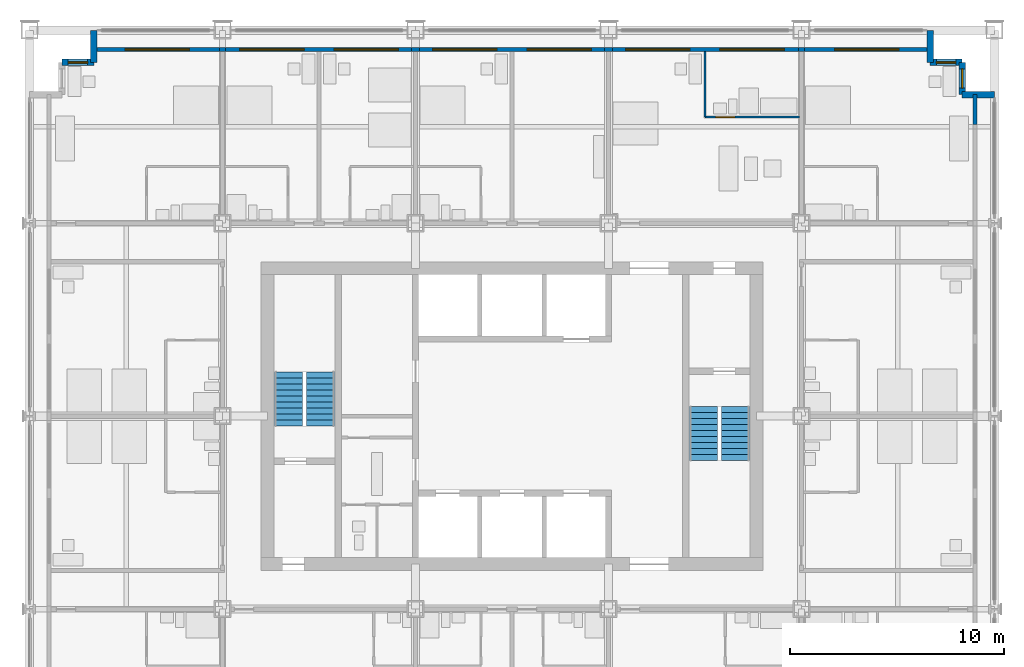
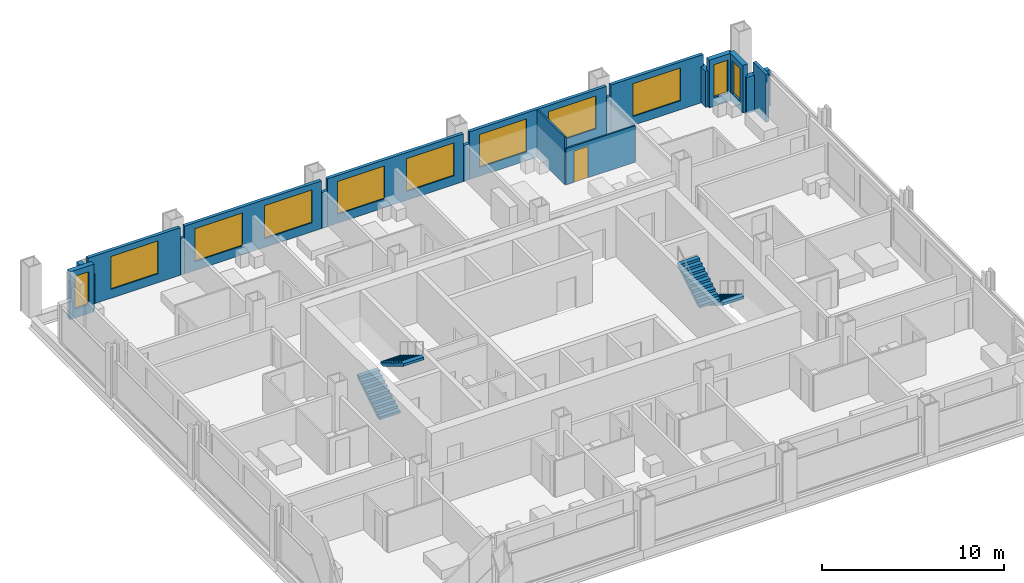
# One storey, part 13 of 16: 18 walls, 11 windows, 4 stair flights, 1 door, 12 openings, 2 elements without a shape of their own.
"""IFC4 building model written with IfcOpenShell, lengths in metres."""

from ifc_helpers import new_model, si_unit, direction, frame, frame_2d, origin, place, context, subcontext, project, spatial, polyline, rectangle, outline, extrude, material, layer, layer_set, type_object, element, fill, aggregate, save


model = new_model("IFC4")

# Units and contexts
model_context = context("Model", 3, precision=1e-05, world=origin(), true_north=direction((0.0, 1.0)))
body_context = subcontext(model_context, "Body", "Model", "MODEL_VIEW")
ifc_project = project(units=[si_unit("LENGTHUNIT", "METRE"), si_unit("AREAUNIT", "SQUARE_METRE"), si_unit("VOLUMEUNIT", "CUBIC_METRE"), si_unit("PLANEANGLEUNIT", "RADIAN"), si_unit("MASSUNIT", "GRAM", prefix="KILO")], contexts=[model_context])

# Site, building, storey
site_placement = place(None, origin())
site = spatial("IfcSite", under=ifc_project, at=site_placement, CompositionType="ELEMENT")
building_placement = place(site_placement, origin())
building = spatial("IfcBuilding", under=site, at=building_placement, Name="Loomwork Tower", CompositionType="ELEMENT")
storey_placement = place(building_placement, frame((0.0, 0.0, 128.199951171875)))
storey = spatial("IfcBuildingStorey", under=building, at=storey_placement, Name="L34", CompositionType="ELEMENT", Elevation=128.199951171875)

# Wall, opening, door
ifc_material_1 = material(Name="Cement board on steel studs", Category="steel")
ifc_layer_1 = layer(ifc_material_1, 0.10009765625)
ifc_layer_set_1 = layer_set([ifc_layer_1], Name="En-suite partition 100")
wall_type_1 = type_object("IfcWallType", Name="En-suite partition 100", PredefinedType="PARTITIONING", material=ifc_layer_set_1)
wall_1_placement = place(storey_placement, frame((31.5, 31.949951171875, 0.0), z_axis=(0.0, 0.0, 1.0), x_axis=(1.0, 0.0, 0.0)))
wall_1 = element("IfcWall", 1, at=wall_1_placement, inside=storey, type_object=wall_type_1, Name="Spa bathroom wall L34 room 12", PredefinedType="PARTITIONING", context=body_context, shape_type="SweptSolid", body=[
    extrude(rectangle(XDim=4.39990234375, YDim=0.10009765625, at=frame_2d((2.199951171875, 0.0))), origin(), (0.0, 0.0, 1.0), 2.43798828125),
])
opening_1_placement = place(wall_1_placement, frame((0.5, 0.0, 0.0)))
opening_1 = element("IfcOpeningElement", 2, at=opening_1_placement, cuts=wall_1, Name="Opening D2", PredefinedType="OPENING", context=body_context, shape_type="SweptSolid", body=[
    extrude(rectangle(XDim=0.89990234375, YDim=2.10009765625, at=frame_2d((0.449951171875, 1.050048828125))), frame((0.0, 0.06005859375, 0.0), z_axis=(0.0, -1.0, 0.0), x_axis=(1.0, 0.0, 0.0)), (0.0, 0.0, 1.0), 0.1201171875),
])
ifc_material_2 = material(Name="Hollow metal door and frame")
door_type = type_object("IfcDoorType", Name="En-suite door 900", OperationType="SINGLE_SWING_LEFT", PredefinedType="DOOR", material=ifc_material_2)
door_placement = place(opening_1_placement, origin())
door = element("IfcDoor", 3, at=door_placement, inside=storey, type_object=door_type, Name="Spa bathroom door room 12", OperationType="SINGLE_SWING_LEFT", OverallHeight=2.10009765625, OverallWidth=0.89990234375, PredefinedType="DOOR", context=body_context, shape_type="SweptSolid", body=[
    extrude(rectangle(XDim=0.89990234375, YDim=2.10009765625, at=frame_2d((0.449951171875, 1.050048828125))), frame((0.0, 0.02490234375, 0.0), z_axis=(0.0, -1.0, 0.0), x_axis=(1.0, 0.0, 0.0)), (0.0, 0.0, 1.0), 0.050048828125),
])
fill(opening_1, door)

# Wall
wall_2_placement = place(storey_placement, frame((31.5, 31.949951171875, 0.0), z_axis=(0.0, 0.0, 1.0), x_axis=(0.0, 1.0, 0.0)))
element("IfcWall", 4, at=wall_2_placement, inside=storey, type_object=wall_type_1, Name="Spa bathroom side wall L34 room 12", PredefinedType="PARTITIONING", context=body_context, shape_type="SweptSolid", body=[
    extrude(rectangle(XDim=3.050048828125, YDim=0.10009765625, at=frame_2d((1.52490234375, 0.0))), origin(), (0.0, 0.0, 1.0), 3.199951171875),
])

# Wall, opening, window
ifc_material_3 = material(Name="Insulated steel stud wall with gypsum lining", Category="steel")
ifc_layer_2 = layer(ifc_material_3, 0.199951171875)
ifc_layer_set_2 = layer_set([ifc_layer_2], Name="Inner skin wall 200")
wall_type_2 = type_object("IfcWallType", Name="Inner skin wall 200", PredefinedType="SOLIDWALL", material=ifc_layer_set_2)
wall_3_placement = place(storey_placement, frame((3.0, 35.10009765625, 0.0), z_axis=(0.0, 0.0, 1.0), x_axis=(1.0, 0.0, 0.0)))
wall_3 = element("IfcWall", 5, at=wall_3_placement, inside=storey, type_object=wall_type_2, Name="Inner skin wall N", PredefinedType="SOLIDWALL", context=body_context, shape_type="SweptSolid", body=[
    extrude(rectangle(XDim=5.86474609375, YDim=0.199951171875, at=frame_2d((2.932373046875, 0.0))), origin(), (0.0, 0.0, 1.0), 3.199951171875),
])
opening_2_placement = place(wall_3_placement, frame((1.449951171875, 0.0, 0.60009765625)))
opening_2 = element("IfcOpeningElement", 6, at=opening_2_placement, cuts=wall_3, Name="Opening CH1", PredefinedType="OPENING", context=body_context, shape_type="SweptSolid", body=[
    extrude(rectangle(XDim=3.0, YDim=2.199951171875, at=frame_2d((1.5, 1.10009765625))), frame((0.0, 0.10986328125, 0.0), z_axis=(0.0, -1.0, 0.0), x_axis=(1.0, 0.0, 0.0)), (0.0, 0.0, 1.0), 0.219970703125),
])
ifc_material_4 = material(Name="Aluminium frame with clear insulated glass", Category="aluminium")
window_type_1 = type_object("IfcWindowType", Name="Chicago window 3000", PartitioningType="TRIPLE_PANEL_VERTICAL", PredefinedType="WINDOW", material=ifc_material_4)
window_1_placement = place(opening_2_placement, origin())
window_1 = element("IfcWindow", 7, at=window_1_placement, inside=storey, type_object=window_type_1, Name="Chicago window L34 bay 6", OverallHeight=2.199951171875, OverallWidth=3.0, PartitioningType="TRIPLE_PANEL_VERTICAL", PredefinedType="WINDOW", context=body_context, shape_type="SweptSolid", body=[
    extrude(rectangle(XDim=3.0, YDim=2.199951171875, at=frame_2d((1.5, 1.10009765625))), frame((0.0, 0.030029296875, 0.0), z_axis=(0.0, -1.0, 0.0), x_axis=(1.0, 0.0, 0.0)), (0.0, 0.0, 1.0), 0.06005859375),
])
fill(opening_2, window_1)

# Wall
wall_4_placement = place(storey_placement, frame((8.86474609375, 35.10009765625, 0.0), z_axis=(0.0, 0.0, 1.0), x_axis=(1.0, 0.0, 0.0)))
element("IfcWall", 8, at=wall_4_placement, inside=storey, type_object=wall_type_2, Name="Inner skin wall N bay 2", PredefinedType="SOLIDWALL", context=body_context, shape_type="SweptSolid", body=[
    extrude(rectangle(XDim=0.2705078125, YDim=0.199951171875, at=frame_2d((0.13525390625, 0.0))), origin(), (0.0, 0.0, 1.0), 2.43798828125),
])

# Wall, openings, windows
wall_5_placement = place(storey_placement, frame((9.13525390625, 35.10009765625, 0.0), z_axis=(0.0, 0.0, 1.0), x_axis=(1.0, 0.0, 0.0)))
wall_5 = element("IfcWall", 9, at=wall_5_placement, inside=storey, type_object=wall_type_2, Name="Inner skin wall N bay 3", PredefinedType="SOLIDWALL", context=body_context, shape_type="SweptSolid", body=[
    extrude(rectangle(XDim=8.6708984375, YDim=0.199951171875, at=frame_2d((4.33544921875, 0.0))), origin(), (0.0, 0.0, 1.0), 3.199951171875),
])
opening_3_placement = place(wall_5_placement, frame((0.664794921875, 0.0, 0.60009765625)))
opening_3 = element("IfcOpeningElement", 10, at=opening_3_placement, cuts=wall_5, Name="Opening CH1", PredefinedType="OPENING", context=body_context, shape_type="SweptSolid", body=[
    extrude(rectangle(XDim=3.0, YDim=2.199951171875, at=frame_2d((1.5, 1.10009765625))), frame((0.0, 0.10986328125, 0.0), z_axis=(0.0, -1.0, 0.0), x_axis=(1.0, 0.0, 0.0)), (0.0, 0.0, 1.0), 0.219970703125),
])
opening_4_placement = place(wall_5_placement, frame((5.064697265625, 0.0, 0.60009765625)))
opening_4 = element("IfcOpeningElement", 11, at=opening_4_placement, cuts=wall_5, Name="Opening CH1", PredefinedType="OPENING", context=body_context, shape_type="SweptSolid", body=[
    extrude(rectangle(XDim=3.0, YDim=2.199951171875, at=frame_2d((1.5, 1.10009765625))), frame((0.0, 0.10986328125, 0.0), z_axis=(0.0, -1.0, 0.0), x_axis=(1.0, 0.0, 0.0)), (0.0, 0.0, 1.0), 0.219970703125),
])
window_2_placement = place(opening_3_placement, origin())
window_2 = element("IfcWindow", 12, at=window_2_placement, inside=storey, type_object=window_type_1, Name="Chicago window L34 bay 7", OverallHeight=2.199951171875, OverallWidth=3.0, PartitioningType="TRIPLE_PANEL_VERTICAL", PredefinedType="WINDOW", context=body_context, shape_type="SweptSolid", body=[
    extrude(rectangle(XDim=3.0, YDim=2.199951171875, at=frame_2d((1.5, 1.10009765625))), frame((0.0, 0.030029296875, 0.0), z_axis=(0.0, -1.0, 0.0), x_axis=(1.0, 0.0, 0.0)), (0.0, 0.0, 1.0), 0.06005859375),
])
fill(opening_3, window_2)
window_3_placement = place(opening_4_placement, origin())
window_3 = element("IfcWindow", 13, at=window_3_placement, inside=storey, type_object=window_type_1, Name="Chicago window L34 bay 7", OverallHeight=2.199951171875, OverallWidth=3.0, PartitioningType="TRIPLE_PANEL_VERTICAL", PredefinedType="WINDOW", context=body_context, shape_type="SweptSolid", body=[
    extrude(rectangle(XDim=3.0, YDim=2.199951171875, at=frame_2d((1.5, 1.10009765625))), frame((0.0, 0.030029296875, 0.0), z_axis=(0.0, -1.0, 0.0), x_axis=(1.0, 0.0, 0.0)), (0.0, 0.0, 1.0), 0.06005859375),
])
fill(opening_4, window_3)

# Wall
wall_6_placement = place(storey_placement, frame((17.80615234375, 35.10009765625, 0.0), z_axis=(0.0, 0.0, 1.0), x_axis=(1.0, 0.0, 0.0)))
element("IfcWall", 14, at=wall_6_placement, inside=storey, type_object=wall_type_2, Name="Inner skin wall N bay 4", PredefinedType="SOLIDWALL", context=body_context, shape_type="SweptSolid", body=[
    extrude(rectangle(XDim=0.3876953125, YDim=0.199951171875, at=frame_2d((0.19384765625, 0.0))), origin(), (0.0, 0.0, 1.0), 2.404052734375),
])

# Wall, openings, windows
wall_7_placement = place(storey_placement, frame((18.19384765625, 35.10009765625, 0.0), z_axis=(0.0, 0.0, 1.0), x_axis=(1.0, 0.0, 0.0)))
wall_7 = element("IfcWall", 15, at=wall_7_placement, inside=storey, type_object=wall_type_2, Name="Inner skin wall N bay 5", PredefinedType="SOLIDWALL", context=body_context, shape_type="SweptSolid", body=[
    extrude(rectangle(XDim=8.6123046875, YDim=0.199951171875, at=frame_2d((4.30615234375, 0.0))), origin(), (0.0, 0.0, 1.0), 3.199951171875),
])
opening_5_placement = place(wall_7_placement, frame((0.606201171875, 0.0, 0.60009765625)))
opening_5 = element("IfcOpeningElement", 16, at=opening_5_placement, cuts=wall_7, Name="Opening CH1", PredefinedType="OPENING", context=body_context, shape_type="SweptSolid", body=[
    extrude(rectangle(XDim=3.0, YDim=2.199951171875, at=frame_2d((1.5, 1.10009765625))), frame((0.0, 0.10986328125, 0.0), z_axis=(0.0, -1.0, 0.0), x_axis=(1.0, 0.0, 0.0)), (0.0, 0.0, 1.0), 0.219970703125),
])
opening_6_placement = place(wall_7_placement, frame((5.006103515625, 0.0, 0.60009765625)))
opening_6 = element("IfcOpeningElement", 17, at=opening_6_placement, cuts=wall_7, Name="Opening CH1", PredefinedType="OPENING", context=body_context, shape_type="SweptSolid", body=[
    extrude(rectangle(XDim=3.0, YDim=2.199951171875, at=frame_2d((1.5, 1.10009765625))), frame((0.0, 0.10986328125, 0.0), z_axis=(0.0, -1.0, 0.0), x_axis=(1.0, 0.0, 0.0)), (0.0, 0.0, 1.0), 0.219970703125),
])
window_4_placement = place(opening_5_placement, origin())
window_4 = element("IfcWindow", 18, at=window_4_placement, inside=storey, type_object=window_type_1, Name="Chicago window L34 bay 8", OverallHeight=2.199951171875, OverallWidth=3.0, PartitioningType="TRIPLE_PANEL_VERTICAL", PredefinedType="WINDOW", context=body_context, shape_type="SweptSolid", body=[
    extrude(rectangle(XDim=3.0, YDim=2.199951171875, at=frame_2d((1.5, 1.10009765625))), frame((0.0, 0.030029296875, 0.0), z_axis=(0.0, -1.0, 0.0), x_axis=(1.0, 0.0, 0.0)), (0.0, 0.0, 1.0), 0.06005859375),
])
fill(opening_5, window_4)
window_5_placement = place(opening_6_placement, origin())
window_5 = element("IfcWindow", 19, at=window_5_placement, inside=storey, type_object=window_type_1, Name="Chicago window L34 bay 8", OverallHeight=2.199951171875, OverallWidth=3.0, PartitioningType="TRIPLE_PANEL_VERTICAL", PredefinedType="WINDOW", context=body_context, shape_type="SweptSolid", body=[
    extrude(rectangle(XDim=3.0, YDim=2.199951171875, at=frame_2d((1.5, 1.10009765625))), frame((0.0, 0.030029296875, 0.0), z_axis=(0.0, -1.0, 0.0), x_axis=(1.0, 0.0, 0.0)), (0.0, 0.0, 1.0), 0.06005859375),
])
fill(opening_6, window_5)

# Wall
wall_8_placement = place(storey_placement, frame((26.80615234375, 35.10009765625, 0.0), z_axis=(0.0, 0.0, 1.0), x_axis=(1.0, 0.0, 0.0)))
element("IfcWall", 20, at=wall_8_placement, inside=storey, type_object=wall_type_2, Name="Inner skin wall N bay 6", PredefinedType="SOLIDWALL", context=body_context, shape_type="SweptSolid", body=[
    extrude(rectangle(XDim=0.3876953125, YDim=0.199951171875, at=frame_2d((0.19384765625, 0.0))), origin(), (0.0, 0.0, 1.0), 2.404052734375),
])

# Wall, openings, windows
wall_9_placement = place(storey_placement, frame((27.19384765625, 35.10009765625, 0.0), z_axis=(0.0, 0.0, 1.0), x_axis=(1.0, 0.0, 0.0)))
wall_9 = element("IfcWall", 21, at=wall_9_placement, inside=storey, type_object=wall_type_2, Name="Inner skin wall N bay 7", PredefinedType="SOLIDWALL", context=body_context, shape_type="SweptSolid", body=[
    extrude(rectangle(XDim=8.670654296875, YDim=0.199951171875, at=frame_2d((4.33544921875, 0.0))), origin(), (0.0, 0.0, 1.0), 3.199951171875),
])
opening_7_placement = place(wall_9_placement, frame((0.606201171875, 0.0, 0.60009765625)))
opening_7 = element("IfcOpeningElement", 22, at=opening_7_placement, cuts=wall_9, Name="Opening CH1", PredefinedType="OPENING", context=body_context, shape_type="SweptSolid", body=[
    extrude(rectangle(XDim=3.0, YDim=2.199951171875, at=frame_2d((1.5, 1.10009765625))), frame((0.0, 0.10986328125, 0.0), z_axis=(0.0, -1.0, 0.0), x_axis=(1.0, 0.0, 0.0)), (0.0, 0.0, 1.0), 0.219970703125),
])
opening_8_placement = place(wall_9_placement, frame((5.006103515625, 0.0, 0.60009765625)))
opening_8 = element("IfcOpeningElement", 23, at=opening_8_placement, cuts=wall_9, Name="Opening CH1", PredefinedType="OPENING", context=body_context, shape_type="SweptSolid", body=[
    extrude(rectangle(XDim=3.0, YDim=2.199951171875, at=frame_2d((1.5, 1.10009765625))), frame((0.0, 0.10986328125, 0.0), z_axis=(0.0, -1.0, 0.0), x_axis=(1.0, 0.0, 0.0)), (0.0, 0.0, 1.0), 0.219970703125),
])
window_6_placement = place(opening_7_placement, origin())
window_6 = element("IfcWindow", 24, at=window_6_placement, inside=storey, type_object=window_type_1, Name="Chicago window L34 bay 9", OverallHeight=2.199951171875, OverallWidth=3.0, PartitioningType="TRIPLE_PANEL_VERTICAL", PredefinedType="WINDOW", context=body_context, shape_type="SweptSolid", body=[
    extrude(rectangle(XDim=3.0, YDim=2.199951171875, at=frame_2d((1.5, 1.10009765625))), frame((0.0, 0.030029296875, 0.0), z_axis=(0.0, -1.0, 0.0), x_axis=(1.0, 0.0, 0.0)), (0.0, 0.0, 1.0), 0.06005859375),
])
fill(opening_7, window_6)
window_7_placement = place(opening_8_placement, origin())
window_7 = element("IfcWindow", 25, at=window_7_placement, inside=storey, type_object=window_type_1, Name="Chicago window L34 bay 9", OverallHeight=2.199951171875, OverallWidth=3.0, PartitioningType="TRIPLE_PANEL_VERTICAL", PredefinedType="WINDOW", context=body_context, shape_type="SweptSolid", body=[
    extrude(rectangle(XDim=3.0, YDim=2.199951171875, at=frame_2d((1.5, 1.10009765625))), frame((0.0, 0.030029296875, 0.0), z_axis=(0.0, -1.0, 0.0), x_axis=(1.0, 0.0, 0.0)), (0.0, 0.0, 1.0), 0.06005859375),
])
fill(opening_8, window_7)

# Wall
wall_10_placement = place(storey_placement, frame((35.864501953125, 35.10009765625, 0.0), z_axis=(0.0, 0.0, 1.0), x_axis=(1.0, 0.0, 0.0)))
element("IfcWall", 26, at=wall_10_placement, inside=storey, type_object=wall_type_2, Name="Inner skin wall N bay 8", PredefinedType="SOLIDWALL", context=body_context, shape_type="SweptSolid", body=[
    extrude(rectangle(XDim=0.27099609375, YDim=0.199951171875, at=frame_2d((0.135498046875, 0.0))), origin(), (0.0, 0.0, 1.0), 2.43798828125),
])

# Wall, opening, window
wall_11_placement = place(storey_placement, frame((36.135498046875, 35.10009765625, 0.0), z_axis=(0.0, 0.0, 1.0), x_axis=(1.0, 0.0, 0.0)))
wall_11 = element("IfcWall", 27, at=wall_11_placement, inside=storey, type_object=wall_type_2, Name="Inner skin wall N bay 9", PredefinedType="SOLIDWALL", context=body_context, shape_type="SweptSolid", body=[
    extrude(rectangle(XDim=5.864501953125, YDim=0.199951171875, at=frame_2d((2.93212890625, 0.0))), origin(), (0.0, 0.0, 1.0), 3.199951171875),
])
opening_9_placement = place(wall_11_placement, frame((1.41455078125, 0.0, 0.60009765625)))
opening_9 = element("IfcOpeningElement", 28, at=opening_9_placement, cuts=wall_11, Name="Opening CH1", PredefinedType="OPENING", context=body_context, shape_type="SweptSolid", body=[
    extrude(rectangle(XDim=3.0, YDim=2.199951171875, at=frame_2d((1.5, 1.10009765625))), frame((0.0, 0.10986328125, 0.0), z_axis=(0.0, -1.0, 0.0), x_axis=(1.0, 0.0, 0.0)), (0.0, 0.0, 1.0), 0.219970703125),
])
window_8_placement = place(opening_9_placement, origin())
window_8 = element("IfcWindow", 29, at=window_8_placement, inside=storey, type_object=window_type_1, Name="Chicago window L34 bay 10", OverallHeight=2.199951171875, OverallWidth=3.0, PartitioningType="TRIPLE_PANEL_VERTICAL", PredefinedType="WINDOW", context=body_context, shape_type="SweptSolid", body=[
    extrude(rectangle(XDim=3.0, YDim=2.199951171875, at=frame_2d((1.5, 1.10009765625))), frame((0.0, 0.030029296875, 0.0), z_axis=(0.0, -1.0, 0.0), x_axis=(1.0, 0.0, 0.0)), (0.0, 0.0, 1.0), 0.06005859375),
])
fill(opening_9, window_8)

# Walls
wall_12_placement = place(storey_placement, frame((44.10009765625, 31.607421875, 0.0), z_axis=(0.0, 0.0, 1.0), x_axis=(0.0, 1.0, 0.0)))
element("IfcWall", 30, at=wall_12_placement, inside=storey, type_object=wall_type_2, Name="Inner skin wall E bay 11", PredefinedType="SOLIDWALL", context=body_context, shape_type="SweptSolid", body=[
    extrude(rectangle(XDim=1.392578125, YDim=0.199951171875, at=frame_2d((0.6962890625, 0.0))), origin(), (0.0, 0.0, 1.0), 3.199951171875),
])
ifc_material_5 = material(Name="Limestone on concrete masonry", Category="masonry")
ifc_layer_3 = layer(ifc_material_5, 0.300048828125)
ifc_layer_set_3 = layer_set([ifc_layer_3], Name="Limestone corner wall 300")
wall_type_3 = type_object("IfcWallType", Name="Limestone corner wall 300", PredefinedType="SOLIDWALL", material=ifc_layer_set_3)
wall_13_placement = place(storey_placement, frame((45.0, 33.0, 0.0), z_axis=(0.0, 0.0, 1.0), x_axis=(-1.0, 0.0, 0.0)))
element("IfcWall", 31, at=wall_13_placement, inside=storey, type_object=wall_type_3, Name="Stone corner wall NE 1", PredefinedType="SOLIDWALL", context=body_context, shape_type="SweptSolid", body=[
    extrude(rectangle(XDim=1.5, YDim=0.300048828125, at=frame_2d((0.75, 0.0))), origin(), (0.0, 0.0, 1.0), 2.420166015625),
])

# Wall, opening, window
wall_14_placement = place(storey_placement, frame((43.5, 33.0, 0.0), z_axis=(0.0, 0.0, 1.0), x_axis=(0.0, 1.0, 0.0)))
wall_14 = element("IfcWall", 32, at=wall_14_placement, inside=storey, type_object=wall_type_3, Name="Stone corner wall NE 2", PredefinedType="SOLIDWALL", context=body_context, shape_type="SweptSolid", body=[
    extrude(rectangle(XDim=1.5, YDim=0.300048828125, at=frame_2d((0.75, 0.0))), origin(), (0.0, 0.0, 1.0), 3.199951171875),
])
opening_10_placement = place(wall_14_placement, frame((0.300048828125, 0.0, 0.60009765625)))
opening_10 = element("IfcOpeningElement", 33, at=opening_10_placement, cuts=wall_14, Name="Opening CH2", PredefinedType="OPENING", context=body_context, shape_type="SweptSolid", body=[
    extrude(rectangle(XDim=0.89990234375, YDim=2.199951171875, at=frame_2d((0.449951171875, 1.10009765625))), frame((0.0, 0.159912109375, 0.0), z_axis=(0.0, -1.0, 0.0), x_axis=(1.0, 0.0, 0.0)), (0.0, 0.0, 1.0), 0.320068359375),
])
ifc_material_6 = material(Name="Aluminium frame with clear insulated glass", Category="aluminium")
window_type_2 = type_object("IfcWindowType", Name="Corner window 900", PartitioningType="SINGLE_PANEL", PredefinedType="WINDOW", material=ifc_material_6)
window_9_placement = place(opening_10_placement, origin())
window_9 = element("IfcWindow", 34, at=window_9_placement, inside=storey, type_object=window_type_2, Name="Corner window NE", OverallHeight=2.199951171875, OverallWidth=0.89990234375, PartitioningType="SINGLE_PANEL", PredefinedType="WINDOW", context=body_context, shape_type="SweptSolid", body=[
    extrude(rectangle(XDim=0.89990234375, YDim=2.199951171875, at=frame_2d((0.449951171875, 1.10009765625))), frame((0.0, 0.030029296875, 0.0), z_axis=(0.0, -1.0, 0.0), x_axis=(1.0, 0.0, 0.0)), (0.0, 0.0, 1.0), 0.06005859375),
])
fill(opening_10, window_9)

wall_15_placement = place(storey_placement, frame((43.5, 34.5, 0.0), z_axis=(0.0, 0.0, 1.0), x_axis=(-1.0, 0.0, 0.0)))
wall_15 = element("IfcWall", 35, at=wall_15_placement, inside=storey, type_object=wall_type_3, Name="Stone corner wall NE 3", PredefinedType="SOLIDWALL", context=body_context, shape_type="SweptSolid", body=[
    extrude(rectangle(XDim=1.5, YDim=0.300048828125, at=frame_2d((0.75, 0.0))), origin(), (0.0, 0.0, 1.0), 3.199951171875),
])
opening_11_placement = place(wall_15_placement, frame((0.300048828125, 0.0, 0.60009765625)))
opening_11 = element("IfcOpeningElement", 36, at=opening_11_placement, cuts=wall_15, Name="Opening CH2", PredefinedType="OPENING", context=body_context, shape_type="SweptSolid", body=[
    extrude(rectangle(XDim=0.89990234375, YDim=2.199951171875, at=frame_2d((0.449951171875, 1.10009765625))), frame((0.0, 0.159912109375, 0.0), z_axis=(0.0, -1.0, 0.0), x_axis=(1.0, 0.0, 0.0)), (0.0, 0.0, 1.0), 0.320068359375),
])
window_10_placement = place(opening_11_placement, origin())
window_10 = element("IfcWindow", 37, at=window_10_placement, inside=storey, type_object=window_type_2, Name="Corner window NE", OverallHeight=2.199951171875, OverallWidth=0.89990234375, PartitioningType="SINGLE_PANEL", PredefinedType="WINDOW", context=body_context, shape_type="SweptSolid", body=[
    extrude(rectangle(XDim=0.89990234375, YDim=2.199951171875, at=frame_2d((0.449951171875, 1.10009765625))), frame((0.0, 0.030029296875, 0.0), z_axis=(0.0, -1.0, 0.0), x_axis=(1.0, 0.0, 0.0)), (0.0, 0.0, 1.0), 0.06005859375),
])
fill(opening_11, window_10)

# Walls
for number, where, z_axis, x_axis, name in (
    (38, (42.0, 34.5, 0.0), (0.0, 0.0, 1.0), (0.0, 1.0, 0.0), "Stone corner wall NE 4"),
    (39, (3.0, 36.0, 0.0), (0.0, 0.0, 1.0), (0.0, -1.0, 0.0), "Stone corner wall NW 1"),
):
    element("IfcWall", number, at=place(storey_placement, frame(where, z_axis=z_axis, x_axis=x_axis)), inside=storey, type_object=wall_type_3, Name=name, PredefinedType="SOLIDWALL", context=body_context, shape_type="SweptSolid", body=[
        extrude(rectangle(XDim=1.5, YDim=0.300048828125, at=frame_2d((0.75, 0.0))), origin(), (0.0, 0.0, 1.0), 2.420166015625),
    ])

# Wall, opening, window
wall_16_placement = place(storey_placement, frame((3.0, 34.5, 0.0), z_axis=(0.0, 0.0, 1.0), x_axis=(-1.0, 0.0, 0.0)))
wall_16 = element("IfcWall", 40, at=wall_16_placement, inside=storey, type_object=wall_type_3, Name="Stone corner wall NW 2", PredefinedType="SOLIDWALL", context=body_context, shape_type="SweptSolid", body=[
    extrude(rectangle(XDim=1.5, YDim=0.300048828125, at=frame_2d((0.75, 0.0))), origin(), (0.0, 0.0, 1.0), 3.199951171875),
])
opening_12_placement = place(wall_16_placement, frame((0.300048828125, 0.0, 0.60009765625)))
opening_12 = element("IfcOpeningElement", 41, at=opening_12_placement, cuts=wall_16, Name="Opening CH2", PredefinedType="OPENING", context=body_context, shape_type="SweptSolid", body=[
    extrude(rectangle(XDim=0.89990234375, YDim=2.199951171875, at=frame_2d((0.449951171875, 1.10009765625))), frame((0.0, 0.159912109375, 0.0), z_axis=(0.0, -1.0, 0.0), x_axis=(1.0, 0.0, 0.0)), (0.0, 0.0, 1.0), 0.320068359375),
])
window_11_placement = place(opening_12_placement, origin())
window_11 = element("IfcWindow", 42, at=window_11_placement, inside=storey, type_object=window_type_2, Name="Corner window NW", OverallHeight=2.199951171875, OverallWidth=0.89990234375, PartitioningType="SINGLE_PANEL", PredefinedType="WINDOW", context=body_context, shape_type="SweptSolid", body=[
    extrude(rectangle(XDim=0.89990234375, YDim=2.199951171875, at=frame_2d((0.449951171875, 1.10009765625))), frame((0.0, 0.030029296875, 0.0), z_axis=(0.0, -1.0, 0.0), x_axis=(1.0, 0.0, 0.0)), (0.0, 0.0, 1.0), 0.06005859375),
])
fill(opening_12, window_11)

# Stair, stair flights
ifc_material_7 = material(Name="Concrete 5000 psi (34 MPa) precast stair", Category="concrete")
stair_type_1 = type_object("IfcStairType", Name="Stair ST-A 20 risers 2850 wide", PredefinedType="HALF_TURN_STAIR", material=ifc_material_7)
stair_1_placement = place(storey_placement, origin())
stair_1 = element("IfcStair", 43, at=stair_1_placement, inside=storey, type_object=stair_type_1, Name="Stair A L34", PredefinedType="HALF_TURN_STAIR")
ifc_material_8 = material(Name="Concrete 5000 psi (34 MPa) precast stair", Category="concrete")
stair_flight_type_1 = type_object("IfcStairFlightType", Name="Stair flight ST-A 10 risers 1300 wide", PredefinedType="STRAIGHT", material=ifc_material_8)
stair_flight_1_placement = place(storey_placement, frame((12.074951171875, 17.550048828125, 0.0), z_axis=(0.0, 0.0, 1.0), x_axis=(0.0, 1.0, 0.0)))
stair_flight_1 = element("IfcStairFlight", 44, at=stair_flight_1_placement, type_object=stair_flight_type_1, Name="ST-A flight 1", NumberOfRisers=10, NumberOfTreads=9, PredefinedType="STRAIGHT", RiserHeight=0.17, TreadLength=0.28, context=body_context, shape_type="SweptSolid", body=[
    extrude(outline(polyline([(0.0, 0.0), (0.0, 0.169921875), (0.280029296875, 0.169921875), (0.280029296875, 0.340087890625), (0.56005859375, 0.340087890625), (0.56005859375, 0.510009765625), (0.840087890625, 0.510009765625), (0.840087890625, 0.679931640625), (1.1201171875, 0.679931640625), (1.1201171875, 0.85009765625), (1.39990234375, 0.85009765625), (1.39990234375, 1.02001953125), (1.679931640625, 1.02001953125), (1.679931640625, 1.18994140625), (1.9599609375, 1.18994140625), (1.9599609375, 1.360107421875), (2.239990234375, 1.360107421875), (2.239990234375, 1.530029296875), (2.52001953125, 1.530029296875), (2.52001953125, 1.699951171875), (2.52001953125, 1.354736328125), (0.288818359375, 0.0), (0.0, 0.0)])), frame((0.0, 0.64990234375, 0.0), z_axis=(0.0, -1.0, 0.0), x_axis=(1.0, 0.0, 0.0)), (0.0, 0.0, 1.0), 1.300048828125),
])
stair_flight_2_placement = place(storey_placement, frame((13.574951171875, 20.070068359375, 1.699951171875), z_axis=(0.0, 0.0, 1.0), x_axis=(0.0, -1.0, 0.0)))
stair_flight_2 = element("IfcStairFlight", 45, at=stair_flight_2_placement, type_object=stair_flight_type_1, Name="ST-A flight 2", NumberOfRisers=10, NumberOfTreads=9, PredefinedType="STRAIGHT", RiserHeight=0.17, TreadLength=0.28, context=body_context, shape_type="SweptSolid", body=[
    extrude(outline(polyline([(0.0, 0.0), (0.0, 0.169921875), (0.280029296875, 0.169921875), (0.280029296875, 0.340087890625), (0.56005859375, 0.340087890625), (0.56005859375, 0.510009765625), (0.840087890625, 0.510009765625), (0.840087890625, 0.679931640625), (1.1201171875, 0.679931640625), (1.1201171875, 0.85009765625), (1.39990234375, 0.85009765625), (1.39990234375, 1.02001953125), (1.679931640625, 1.02001953125), (1.679931640625, 1.18994140625), (1.9599609375, 1.18994140625), (1.9599609375, 1.360107421875), (2.239990234375, 1.360107421875), (2.239990234375, 1.530029296875), (2.52001953125, 1.530029296875), (2.52001953125, 1.699951171875), (2.52001953125, 1.354736328125), (0.288818359375, 0.0), (0.0, 0.0)])), frame((0.0, 0.64990234375, 0.0), z_axis=(0.0, -1.0, 0.0), x_axis=(1.0, 0.0, 0.0)), (0.0, 0.0, 1.0), 1.300048828125),
])
aggregate(stair_1, [stair_flight_1, stair_flight_2])

ifc_material_9 = material(Name="Concrete 5000 psi (34 MPa) precast stair", Category="concrete")
stair_type_2 = type_object("IfcStairType", Name="Stair ST-B 20 risers 2850 wide", PredefinedType="HALF_TURN_STAIR", material=ifc_material_9)
stair_2_placement = place(storey_placement, origin())
stair_2 = element("IfcStair", 46, at=stair_2_placement, inside=storey, type_object=stair_type_2, Name="Stair B L34", PredefinedType="HALF_TURN_STAIR")
ifc_material_10 = material(Name="Concrete 5000 psi (34 MPa) precast stair", Category="concrete")
stair_flight_type_2 = type_object("IfcStairFlightType", Name="Stair flight ST-B 10 risers 1300 wide", PredefinedType="STRAIGHT", material=ifc_material_10)
stair_flight_3_placement = place(storey_placement, frame((32.925048828125, 18.449951171875, 0.0), z_axis=(0.0, 0.0, 1.0), x_axis=(0.0, -1.0, 0.0)))
stair_flight_3 = element("IfcStairFlight", 47, at=stair_flight_3_placement, type_object=stair_flight_type_2, Name="ST-B flight 1", NumberOfRisers=10, NumberOfTreads=9, PredefinedType="STRAIGHT", RiserHeight=0.17, TreadLength=0.28, context=body_context, shape_type="SweptSolid", body=[
    extrude(outline(polyline([(0.0, 0.0), (0.0, 0.169921875), (0.280029296875, 0.169921875), (0.280029296875, 0.340087890625), (0.56005859375, 0.340087890625), (0.56005859375, 0.510009765625), (0.840087890625, 0.510009765625), (0.840087890625, 0.679931640625), (1.1201171875, 0.679931640625), (1.1201171875, 0.85009765625), (1.39990234375, 0.85009765625), (1.39990234375, 1.02001953125), (1.679931640625, 1.02001953125), (1.679931640625, 1.18994140625), (1.9599609375, 1.18994140625), (1.9599609375, 1.360107421875), (2.239990234375, 1.360107421875), (2.239990234375, 1.530029296875), (2.52001953125, 1.530029296875), (2.52001953125, 1.699951171875), (2.52001953125, 1.354736328125), (0.288818359375, 0.0), (0.0, 0.0)])), frame((0.0, 0.64990234375, 0.0), z_axis=(0.0, -1.0, 0.0), x_axis=(1.0, 0.0, 0.0)), (0.0, 0.0, 1.0), 1.300048828125),
])
stair_flight_4_placement = place(storey_placement, frame((31.425048828125, 15.929931640625, 1.699951171875), z_axis=(0.0, 0.0, 1.0), x_axis=(0.0, 1.0, 0.0)))
stair_flight_4 = element("IfcStairFlight", 48, at=stair_flight_4_placement, type_object=stair_flight_type_2, Name="ST-B flight 2", NumberOfRisers=10, NumberOfTreads=9, PredefinedType="STRAIGHT", RiserHeight=0.17, TreadLength=0.28, context=body_context, shape_type="SweptSolid", body=[
    extrude(outline(polyline([(0.0, 0.0), (0.0, 0.169921875), (0.280029296875, 0.169921875), (0.280029296875, 0.340087890625), (0.56005859375, 0.340087890625), (0.56005859375, 0.510009765625), (0.840087890625, 0.510009765625), (0.840087890625, 0.679931640625), (1.1201171875, 0.679931640625), (1.1201171875, 0.85009765625), (1.39990234375, 0.85009765625), (1.39990234375, 1.02001953125), (1.679931640625, 1.02001953125), (1.679931640625, 1.18994140625), (1.9599609375, 1.18994140625), (1.9599609375, 1.360107421875), (2.239990234375, 1.360107421875), (2.239990234375, 1.530029296875), (2.52001953125, 1.530029296875), (2.52001953125, 1.699951171875), (2.52001953125, 1.354736328125), (0.288818359375, 0.0), (0.0, 0.0)])), frame((0.0, 0.64990234375, 0.0), z_axis=(0.0, -1.0, 0.0), x_axis=(1.0, 0.0, 0.0)), (0.0, 0.0, 1.0), 1.300048828125),
])
aggregate(stair_2, [stair_flight_3, stair_flight_4])

save(model, "model.ifc")
